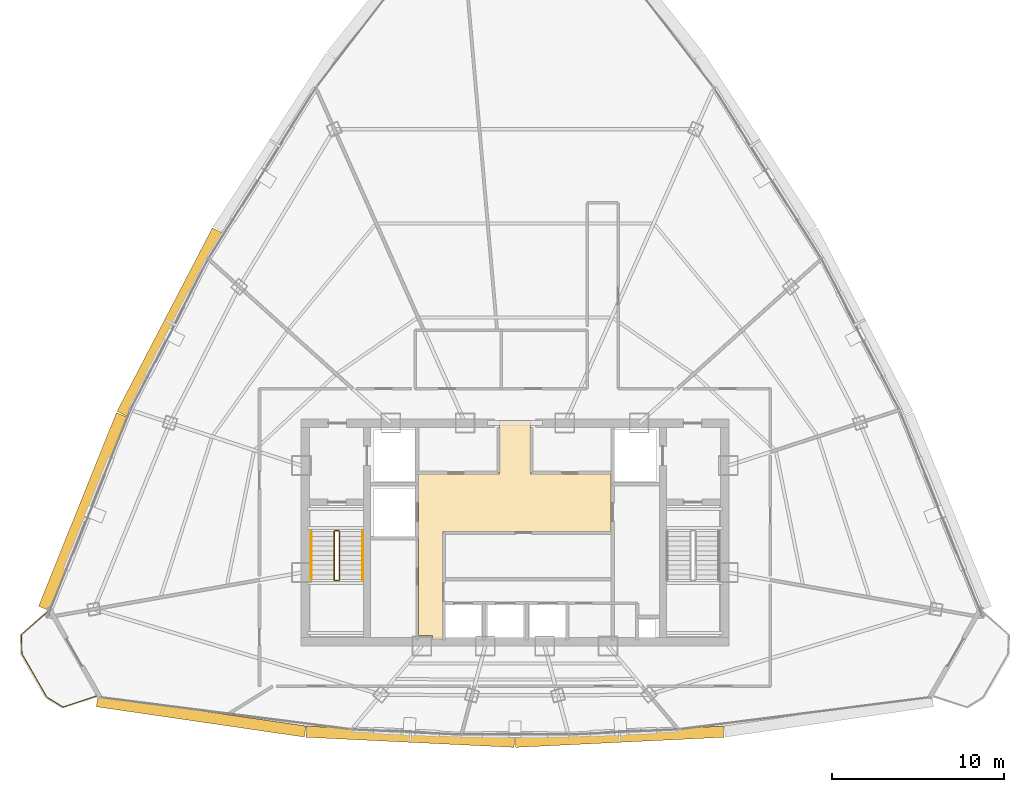
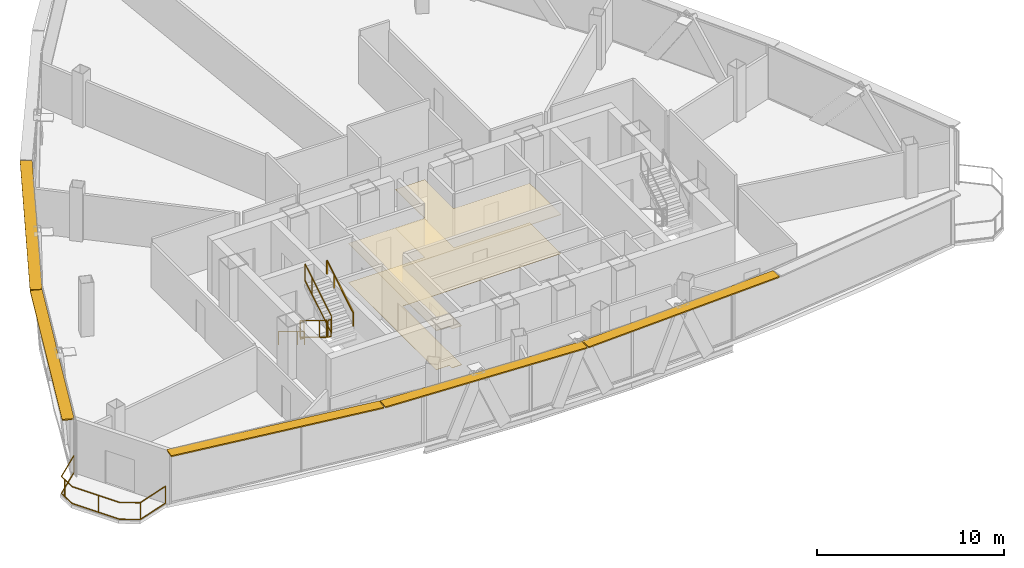
# One storey, part 28 of 30: 7 railings, 5 shading devices, 2 coverings.
"""IFC4 building model written with IfcOpenShell, lengths in metres."""

from ifc_helpers import new_model, si_unit, direction, frame, origin, origin_2d, place, context, subcontext, project, spatial, polyline, rectangle, outline, extrude, source, transform, mapped, material, layer, layer_set, type_object, element, save


model = new_model("IFC4")

# Units and contexts
model_context = context("Model", 3, precision=1e-05, world=origin(), true_north=direction((0.0, 1.0)))
body_context = subcontext(model_context, "Body", "Model", "MODEL_VIEW")
ifc_project = project(units=[si_unit("LENGTHUNIT", "METRE"), si_unit("AREAUNIT", "SQUARE_METRE"), si_unit("VOLUMEUNIT", "CUBIC_METRE"), si_unit("PLANEANGLEUNIT", "RADIAN"), si_unit("MASSUNIT", "GRAM", prefix="KILO"), si_unit("THERMODYNAMICTEMPERATUREUNIT", "KELVIN"), si_unit("POWERUNIT", "WATT")], contexts=[model_context])

# Site, building, storey
site_placement = place(None, origin())
site = spatial("IfcSite", under=ifc_project, at=site_placement, CompositionType="ELEMENT")
building_placement = place(site_placement, origin())
building = spatial("IfcBuilding", under=site, at=building_placement, Name="Yunzhuo Pagoda Commons", CompositionType="ELEMENT")
storey_placement = place(building_placement, frame((0.0, 0.0, 355.510009765625)))
storey = spatial("IfcBuildingStorey", under=building, at=storey_placement, Name="L89", CompositionType="ELEMENT", Elevation=355.510009765625)

# Coverings
ifc_material_1 = material(Name="Micro-perforated metal baffle ceiling")
ifc_layer_1 = layer(ifc_material_1, 0.034912109375)
ifc_layer_set_1 = layer_set([ifc_layer_1], Name="Micro-perforated metal baffle ceiling")
covering_type_1 = type_object("IfcCoveringType", Name="COV-CL3 Ceiling 35", PredefinedType="CEILING", material=ifc_layer_set_1)
covering_1_placement = place(storey_placement, frame((0.0, 0.0, 2.5400390625)))
element("IfcCovering", 1, at=covering_1_placement, inside=storey, type_object=covering_type_1, Name="L89 lift lobby acoustic ceiling", PredefinedType="CEILING", context=body_context, shape_type="SweptSolid", body=[
    extrude(outline(polyline([(43.207763671875, 27.85009765625), (43.201904296875, 27.864013671875), (43.187744140625, 27.8701171875), (42.39990234375, 27.8701171875), (42.39990234375, 33.89990234375), (42.39990234375, 37.25), (47.10009765625, 37.25), (47.10009765625, 40.35009765625), (48.89990234375, 40.35009765625), (48.89990234375, 37.25), (53.580078125, 37.25), (53.580078125, 33.89990234375), (43.820068359375, 33.89990234375), (43.820068359375, 27.60009765625), (43.207763671875, 27.60009765625), (43.207763671875, 27.85009765625)])), origin(), (0.0, 0.0, 1.0), 0.034912109375),
])
ifc_material_2 = material(Name="Resilient acoustic studio flooring")
ifc_layer_2 = layer(ifc_material_2, 0.01806640625)
ifc_layer_set_2 = layer_set([ifc_layer_2], Name="Resilient acoustic studio flooring")
covering_type_2 = type_object("IfcCoveringType", Name="COV-FL3 Flooring 18", PredefinedType="FLOORING", material=ifc_layer_set_2)
covering_2_placement = place(storey_placement, origin())
element("IfcCovering", 2, at=covering_2_placement, inside=storey, type_object=covering_type_2, Name="L89 lift lobby flooring", PredefinedType="FLOORING", context=body_context, shape_type="SweptSolid", body=[
    extrude(outline(polyline([(43.207763671875, 27.85009765625), (43.201904296875, 27.864013671875), (43.187744140625, 27.8701171875), (42.39990234375, 27.8701171875), (42.39990234375, 33.89990234375), (42.39990234375, 37.25), (47.10009765625, 37.25), (47.10009765625, 40.35009765625), (48.89990234375, 40.35009765625), (48.89990234375, 37.25), (53.580078125, 37.25), (53.580078125, 33.89990234375), (43.820068359375, 33.89990234375), (43.820068359375, 27.60009765625), (43.207763671875, 27.60009765625), (43.207763671875, 27.85009765625)])), origin(), (0.0, 0.0, 1.0), 0.01806640625),
])

# Railings
ifc_material_3 = material(Name="Anodized aluminium 6063-T6", Category="aluminium")
railing_type_1 = type_object("IfcRailingType", Name="GR-ST1 Stair Well Guardrail 1150", PredefinedType="GUARDRAIL", material=ifc_material_3)
railing_1_placement = place(storey_placement, frame((37.5, 33.89990234375, 0.17041015625)))
element("IfcRailing", 3, at=railing_1_placement, inside=storey, type_object=railing_type_1, Name="L89 ST1 stair guard 1", PredefinedType="GUARDRAIL", context=body_context, shape_type="SweptSolid", body=[
    extrude(rectangle(XDim=0.048095703125, YDim=0.048095703125, at=origin_2d()), frame((0.0, 0.0, 1.1259765625), z_axis=(0.0, -0.854149651119, 0.520027281489), x_axis=(1.0, 0.0, 0.0)), (0.0, 0.0, 1.0), 3.27783203125),
    extrude(rectangle(XDim=0.048095703125, YDim=0.048095703125, at=origin_2d()), frame((0.0, 0.0, 0.02392578125), z_axis=(0.0, -0.854149651119, 0.520027281489), x_axis=(1.0, 0.0, 0.0)), (0.0, 0.0, 1.0), 3.27783203125),
    extrude(rectangle(XDim=0.0419921875, YDim=0.0419921875, at=origin_2d()), origin(), (0.0, 0.0, 1.0), 1.101806640625),
    extrude(rectangle(XDim=0.0419921875, YDim=0.0419921875, at=origin_2d()), frame((0.0, -2.050048828125, 1.248046875)), (0.0, 0.0, 1.0), 1.101806640625),
    extrude(rectangle(XDim=0.0419921875, YDim=0.0419921875, at=origin_2d()), frame((0.0, -2.7998046875, 1.70458984375)), (0.0, 0.0, 1.0), 1.101806640625),
])
railing_2_placement = place(storey_placement, frame((37.550048828125, 31.050048828125, 1.875)))
element("IfcRailing", 4, at=railing_2_placement, inside=storey, type_object=railing_type_1, Name="L89 ST1 stair guard 2", PredefinedType="GUARDRAIL", context=body_context, shape_type="SweptSolid", body=[
    extrude(rectangle(XDim=0.048095703125, YDim=0.048095703125, at=origin_2d()), frame((0.0, 0.0, 1.1259765625), z_axis=(1.0, 0.0, 0.0), x_axis=(0.0, 1.0, 0.0)), (0.0, 0.0, 1.0), 0.199951171875),
    extrude(rectangle(XDim=0.048095703125, YDim=0.048095703125, at=origin_2d()), frame((0.0, 0.0, 0.02392578125), z_axis=(1.0, 0.0, 0.0), x_axis=(0.0, 1.0, 0.0)), (0.0, 0.0, 1.0), 0.199951171875),
    extrude(rectangle(XDim=0.0419921875, YDim=0.0419921875, at=origin_2d()), origin(), (0.0, 0.0, 1.0), 1.101806640625),
    extrude(rectangle(XDim=0.0419921875, YDim=0.0419921875, at=origin_2d()), frame((0.199951171875, 0.0, 0.0)), (0.0, 0.0, 1.0), 1.101806640625),
])
railing_3_placement = place(storey_placement, frame((37.800048828125, 31.10009765625, 2.04541015625)))
element("IfcRailing", 5, at=railing_3_placement, inside=storey, type_object=railing_type_1, Name="L89 ST1 stair guard 3", PredefinedType="GUARDRAIL", context=body_context, shape_type="SweptSolid", body=[
    extrude(rectangle(XDim=0.048095703125, YDim=0.048095703125, at=origin_2d()), frame((0.0, 0.0, 1.1259765625), z_axis=(0.0, 0.854149651119, 0.520027281489), x_axis=(-1.0, 0.0, 0.0)), (0.0, 0.0, 1.0), 3.27783203125),
    extrude(rectangle(XDim=0.048095703125, YDim=0.048095703125, at=origin_2d()), frame((0.0, 0.0, 0.02392578125), z_axis=(0.0, 0.854149651119, 0.520027281489), x_axis=(-1.0, 0.0, 0.0)), (0.0, 0.0, 1.0), 3.27783203125),
    extrude(rectangle(XDim=0.0419921875, YDim=0.0419921875, at=origin_2d()), origin(), (0.0, 0.0, 1.0), 1.101806640625),
    extrude(rectangle(XDim=0.0419921875, YDim=0.0419921875, at=origin_2d()), frame((0.0, 2.050048828125, 1.248046875)), (0.0, 0.0, 1.0), 1.101806640625),
    extrude(rectangle(XDim=0.0419921875, YDim=0.0419921875, at=origin_2d()), frame((0.0, 2.7998046875, 1.70458984375)), (0.0, 0.0, 1.0), 1.101806640625),
])
railing_4_placement = place(storey_placement, frame((37.550048828125, 33.949951171875, 0.0)))
element("IfcRailing", 6, at=railing_4_placement, inside=storey, type_object=railing_type_1, Name="L89 ST1 stair guard 4", PredefinedType="GUARDRAIL", context=body_context, shape_type="SweptSolid", body=[
    extrude(rectangle(XDim=0.048095703125, YDim=0.048095703125, at=origin_2d()), frame((0.0, 0.0, 1.1259765625), z_axis=(1.0, 0.0, 0.0), x_axis=(0.0, 1.0, 0.0)), (0.0, 0.0, 1.0), 0.199951171875),
    extrude(rectangle(XDim=0.048095703125, YDim=0.048095703125, at=origin_2d()), frame((0.0, 0.0, 0.02392578125), z_axis=(1.0, 0.0, 0.0), x_axis=(0.0, 1.0, 0.0)), (0.0, 0.0, 1.0), 0.199951171875),
    extrude(rectangle(XDim=0.0419921875, YDim=0.0419921875, at=origin_2d()), origin(), (0.0, 0.0, 1.0), 1.101806640625),
    extrude(rectangle(XDim=0.0419921875, YDim=0.0419921875, at=origin_2d()), frame((0.199951171875, 0.0, 0.0)), (0.0, 0.0, 1.0), 1.101806640625),
])
railing_type_2 = type_object("IfcRailingType", Name="HR-ST1 Stair Handrail 900", PredefinedType="HANDRAIL", material=ifc_material_3)
railing_5_placement = place(storey_placement, frame((36.14990234375, 33.89990234375, 0.17041015625)))
element("IfcRailing", 7, at=railing_5_placement, inside=storey, type_object=railing_type_2, Name="L89 ST1 stair handrail 1", PredefinedType="HANDRAIL", context=body_context, shape_type="SweptSolid", body=[
    extrude(rectangle(XDim=0.048095703125, YDim=0.048095703125, at=origin_2d()), frame((0.0, 0.0, 0.8759765625), z_axis=(0.0, -0.854149651119, 0.520027281489), x_axis=(1.0, 0.0, 0.0)), (0.0, 0.0, 1.0), 3.27783203125),
    extrude(rectangle(XDim=0.0419921875, YDim=0.0419921875, at=origin_2d()), origin(), (0.0, 0.0, 1.0), 0.851806640625),
    extrude(rectangle(XDim=0.0419921875, YDim=0.0419921875, at=origin_2d()), frame((0.0, -2.050048828125, 1.248046875)), (0.0, 0.0, 1.0), 0.851806640625),
    extrude(rectangle(XDim=0.0419921875, YDim=0.0419921875, at=origin_2d()), frame((0.0, -2.7998046875, 1.70458984375)), (0.0, 0.0, 1.0), 0.851806640625),
])
railing_6_placement = place(storey_placement, frame((39.14990234375, 31.10009765625, 2.04541015625)))
element("IfcRailing", 8, at=railing_6_placement, inside=storey, type_object=railing_type_2, Name="L89 ST1 stair handrail 2", PredefinedType="HANDRAIL", context=body_context, shape_type="SweptSolid", body=[
    extrude(rectangle(XDim=0.048095703125, YDim=0.048095703125, at=origin_2d()), frame((0.0, 0.0, 0.8759765625), z_axis=(0.0, 0.854149651119, 0.520027281489), x_axis=(-1.0, 0.0, 0.0)), (0.0, 0.0, 1.0), 3.27783203125),
    extrude(rectangle(XDim=0.0419921875, YDim=0.0419921875, at=origin_2d()), origin(), (0.0, 0.0, 1.0), 0.851806640625),
    extrude(rectangle(XDim=0.0419921875, YDim=0.0419921875, at=origin_2d()), frame((0.0, 2.050048828125, 1.248046875)), (0.0, 0.0, 1.0), 0.851806640625),
    extrude(rectangle(XDim=0.0419921875, YDim=0.0419921875, at=origin_2d()), frame((0.0, 2.7998046875, 1.70458984375)), (0.0, 0.0, 1.0), 0.851806640625),
])
railing_type_3 = type_object("IfcRailingType", Name="RL-BAL1 Exterior Terrace & Balcony Balustrade 1150", PredefinedType="BALUSTRADE", material=ifc_material_3)
railing_7_placement = place(storey_placement, frame((20.867431640625, 29.257080078125, 0.0)))
element("IfcRailing", 9, at=railing_7_placement, inside=storey, type_object=railing_type_3, Name="L89 corner balcony balustrade V1", PredefinedType="BALUSTRADE", context=body_context, shape_type="SweptSolid", body=[
    extrude(rectangle(XDim=0.048095703125, YDim=0.048095703125, at=origin_2d()), frame((0.0, 0.0, 1.1259765625), z_axis=(-0.753984993137, -0.656891642605, 0.0), x_axis=(0.656891642605, -0.753984993137, 0.0)), (0.0, 0.0, 1.0), 2.059326171875),
    extrude(rectangle(XDim=0.048095703125, YDim=0.048095703125, at=origin_2d()), frame((0.0, 0.0, 0.02392578125), z_axis=(-0.753984993137, -0.656891642605, 0.0), x_axis=(0.656891642605, -0.753984993137, 0.0)), (0.0, 0.0, 1.0), 2.059326171875),
    extrude(rectangle(XDim=0.048095703125, YDim=0.048095703125, at=origin_2d()), frame((-1.552734375, -1.352783203125, 1.1259765625), z_axis=(0.023750447686, -0.999717918332, 0.0), x_axis=(0.999717918332, 0.023750447686, 0.0)), (0.0, 0.0, 1.0), 1.110107421875),
    extrude(rectangle(XDim=0.048095703125, YDim=0.048095703125, at=origin_2d()), frame((-1.552734375, -1.352783203125, 0.02392578125), z_axis=(0.023750447686, -0.999717918332, 0.0), x_axis=(0.999717918332, 0.023750447686, 0.0)), (0.0, 0.0, 1.0), 1.110107421875),
    extrude(rectangle(XDim=0.048095703125, YDim=0.048095703125, at=origin_2d()), frame((-1.5263671875, -2.462646484375, 1.1259765625), z_axis=(0.497899056357, -0.867234991037, 0.0), x_axis=(0.867234991037, 0.497899056357, 0.0)), (0.0, 0.0, 1.0), 2.9111328125),
    extrude(rectangle(XDim=0.048095703125, YDim=0.048095703125, at=origin_2d()), frame((-1.5263671875, -2.462646484375, 0.02392578125), z_axis=(0.497899056357, -0.867234991037, 0.0), x_axis=(0.867234991037, 0.497899056357, 0.0)), (0.0, 0.0, 1.0), 2.9111328125),
    extrude(rectangle(XDim=0.048095703125, YDim=0.048095703125, at=origin_2d()), frame((-0.076904296875, -4.9873046875, 1.1259765625), z_axis=(0.851499755437, -0.524355000444, 0.0), x_axis=(0.524355000444, 0.851499755437, 0.0)), (0.0, 0.0, 1.0), 1.1103515625),
    extrude(rectangle(XDim=0.048095703125, YDim=0.048095703125, at=origin_2d()), frame((-0.076904296875, -4.9873046875, 0.02392578125), z_axis=(0.851499755437, -0.524355000444, 0.0), x_axis=(0.524355000444, 0.851499755437, 0.0)), (0.0, 0.0, 1.0), 1.1103515625),
    extrude(rectangle(XDim=0.048095703125, YDim=0.048095703125, at=origin_2d()), frame((0.86865234375, -5.569580078125, 1.1259765625), z_axis=(0.947419062147, 0.319995501031, 0.0), x_axis=(-0.319995501031, 0.947419062147, 0.0)), (0.0, 0.0, 1.0), 2.05908203125),
    extrude(rectangle(XDim=0.048095703125, YDim=0.048095703125, at=origin_2d()), frame((0.86865234375, -5.569580078125, 0.02392578125), z_axis=(0.947419062147, 0.319995501031, 0.0), x_axis=(-0.319995501031, 0.947419062147, 0.0)), (0.0, 0.0, 1.0), 2.05908203125),
    extrude(rectangle(XDim=0.0419921875, YDim=0.0419921875, at=origin_2d()), origin(), (0.0, 0.0, 1.0), 1.101806640625),
    extrude(rectangle(XDim=0.0419921875, YDim=0.0419921875, at=origin_2d()), frame((-1.544677734375, -1.693359375, 0.0)), (0.0, 0.0, 1.0), 1.101806640625),
    extrude(rectangle(XDim=0.0419921875, YDim=0.0419921875, at=origin_2d()), frame((-0.714599609375, -3.876708984375, 0.0)), (0.0, 0.0, 1.0), 1.101806640625),
    extrude(rectangle(XDim=0.0419921875, YDim=0.0419921875, at=origin_2d()), frame((0.876953125, -5.566650390625, 0.0)), (0.0, 0.0, 1.0), 1.101806640625),
    extrude(rectangle(XDim=0.0419921875, YDim=0.0419921875, at=origin_2d()), frame((2.819580078125, -4.91064453125, 0.0)), (0.0, 0.0, 1.0), 1.101806640625),
])

# Shading devices
ifc_layer_3 = layer(ifc_material_3, 0.080078125)
ifc_layer_set_3 = layer_set([ifc_layer_3], Name="Anodized aluminium 6063-T6")
shading_device_type = type_object("IfcShadingDeviceType", Name="SH-SUN1 Pagoda Horizontal Sunshade Eave 650", PredefinedType="USERDEFINED", material=ifc_layer_set_3)
shared_shape_1 = source(origin(), body_context, "Body", "SweptSolid", [
    extrude(rectangle(XDim=12.22509765625, YDim=0.64990234375, at=origin_2d()), origin(), (0.0, 0.0, 1.0), 0.080078125),
])
shading_device_1_placement = place(storey_placement, frame((29.760498046875, 23.15380859375, 3.409912109375), z_axis=(0.0, 0.0, 1.0), x_axis=(0.989510666697, -0.144459823108, 0.0)))
element("IfcShadingDevice", 10, at=shading_device_1_placement, inside=storey, type_object=shading_device_type, Name="L89 horizontal pagoda sunshade eave F1.1", ObjectType="SUNSHADE", PredefinedType="USERDEFINED", context=body_context, shape_type="MappedRepresentation", body=[
    mapped(shared_shape_1, transform((0.0, 0.0, 0.0), scale=1.0)),
])
shared_shape_2 = source(origin(), body_context, "Body", "SweptSolid", [
    extrude(rectangle(XDim=12.111083984375, YDim=0.64990234375, at=origin_2d()), origin(), (0.0, 0.0, 1.0), 0.080078125),
])
for number, where, z_axis, x_axis, name in (
    (11, (41.919921875, 21.97021484375, 3.409912109375), (0.0, 0.0, 1.0), (0.998818891953, -0.048588281289, 0.0), "L89 horizontal pagoda sunshade eave F1.2"),
    (12, (54.080078125, 21.97021484375, 3.409912109375), (0.0, 0.0, 1.0), (0.998818891953, 0.048588281289, 0.0), "L89 horizontal pagoda sunshade eave F1.3"),
):
    element("IfcShadingDevice", number, at=place(storey_placement, frame(where, z_axis=z_axis, x_axis=x_axis)), inside=storey, type_object=shading_device_type, Name=name, ObjectType="SUNSHADE", PredefinedType="USERDEFINED", context=body_context, shape_type="MappedRepresentation", body=[
        mapped(shared_shape_2, transform((0.0, 0.0, 0.0), scale=1.0)),
    ])
shared_shape_3 = source(origin(), body_context, "Body", "SweptSolid", [
    extrude(rectangle(XDim=12.126953125, YDim=0.64990234375, at=origin_2d()), origin(), (0.0, 0.0, 1.0), 0.080078125),
])
shading_device_2_placement = place(storey_placement, frame((22.8740234375, 35.060302734375, 3.409912109375), z_axis=(0.0, 0.0, 1.0), x_axis=(-0.373003976317, -0.927829743893, 0.0)))
element("IfcShadingDevice", 13, at=shading_device_2_placement, inside=storey, type_object=shading_device_type, Name="L89 horizontal pagoda sunshade eave F3.4", ObjectType="SUNSHADE", PredefinedType="USERDEFINED", context=body_context, shape_type="MappedRepresentation", body=[
    mapped(shared_shape_3, transform((0.0, 0.0, 0.0), scale=1.0)),
])
shared_shape_4 = source(origin(), body_context, "Body", "SweptSolid", [
    extrude(rectangle(XDim=12.01171875, YDim=0.64990234375, at=origin_2d()), origin(), (0.0, 0.0, 1.0), 0.080078125),
])
shading_device_3_placement = place(storey_placement, frame((27.931884765625, 46.07275390625, 3.409912109375), z_axis=(0.0, 0.0, 1.0), x_axis=(-0.461191196783, -0.88730078328, 0.0)))
element("IfcShadingDevice", 14, at=shading_device_3_placement, inside=storey, type_object=shading_device_type, Name="L89 horizontal pagoda sunshade eave F3.3", ObjectType="SUNSHADE", PredefinedType="USERDEFINED", context=body_context, shape_type="MappedRepresentation", body=[
    mapped(shared_shape_4, transform((0.0, 0.0, 0.0), scale=1.0)),
])

save(model, "model.ifc")
